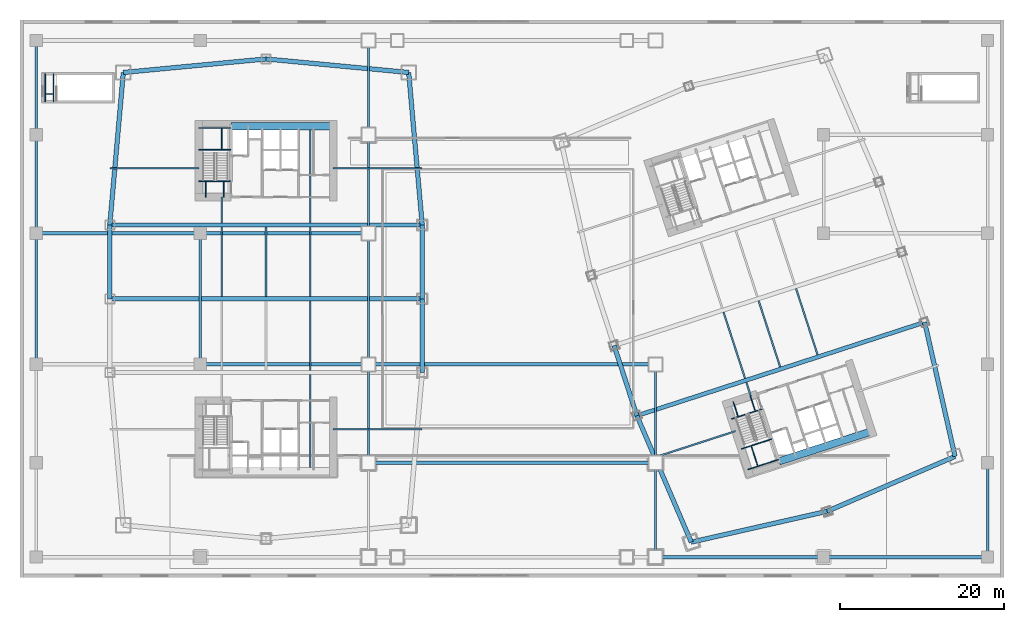
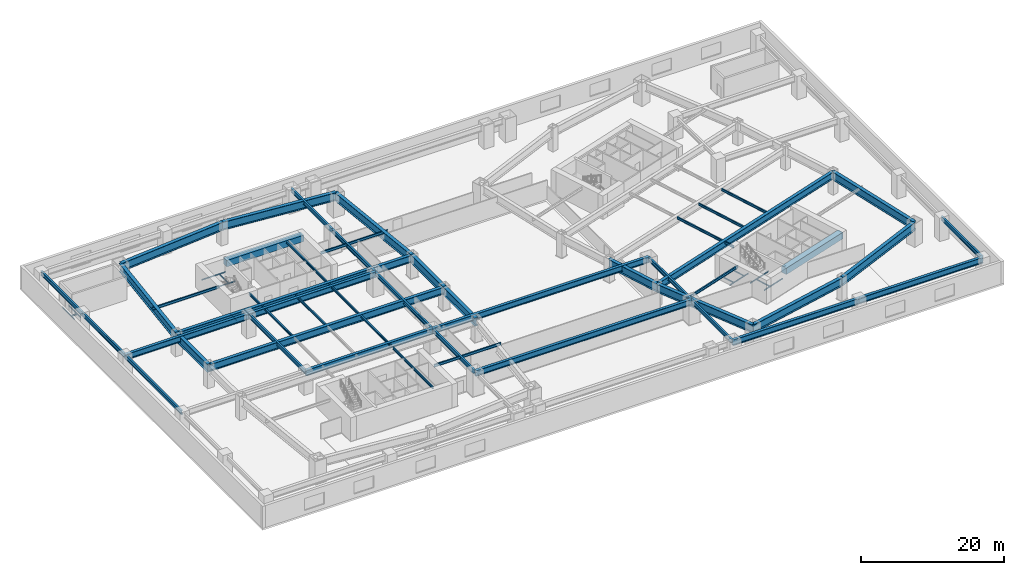
# One storey, part 7 of 25: 65 beams.
"""IFC4 building model written with IfcOpenShell, lengths in metres."""

from ifc_helpers import new_model, si_unit, direction, frame, origin, origin_2d, place, context, subcontext, project, spatial, rectangle, i_section, extrude, material, material_profile, profile_set, type_object, element, save


model = new_model("IFC4")

# Units and contexts
model_context = context("Model", 3, precision=1e-05, world=origin(), true_north=direction((0.0, 1.0)))
body_context = subcontext(model_context, "Body", "Model", "MODEL_VIEW")
ifc_project = project(units=[si_unit("LENGTHUNIT", "METRE"), si_unit("AREAUNIT", "SQUARE_METRE"), si_unit("VOLUMEUNIT", "CUBIC_METRE"), si_unit("PLANEANGLEUNIT", "RADIAN"), si_unit("MASSUNIT", "GRAM", prefix="KILO")], contexts=[model_context])

# Site, building, storey
site_placement = place(None, origin())
site = spatial("IfcSite", under=ifc_project, at=site_placement, CompositionType="ELEMENT")
building_placement = place(site_placement, origin())
building = spatial("IfcBuilding", under=site, at=building_placement, Name="Qiaolan Cultural Towers", CompositionType="ELEMENT")
storey_placement = place(building_placement, frame((0.0, 0.0, 22.0)))
storey = spatial("IfcBuildingStorey", under=building, at=storey_placement, Name="L04", CompositionType="ELEMENT", Elevation=22.0)

# Beams
ifc_material_1 = material(Name="Steel Q390GJB", Category="steel")
ifc_material_profile_1 = material_profile(ifc_material_1, i_section(OverallWidth=0.449951171875, OverallDepth=1.0, WebThickness=0.02392578125, FlangeThickness=0.0400390625, at=origin_2d()), Name="BH1000x450x24x40")
ifc_profile_set_1 = profile_set([ifc_material_profile_1], Name="Steel Q390GJB")
beam_type_1 = type_object("IfcBeamType", Name="BM-BH1000x450x24x40", PredefinedType="BEAM", material=ifc_profile_set_1)
beam_1_placement = place(storey_placement, frame((77.5, 2.5, 3.25), z_axis=(1.0, 0.0, 0.0), x_axis=(0.0, 1.0, 0.0)))
element("IfcBeam", 1, at=beam_1_placement, inside=storey, type_object=beam_type_1, Name="L04 Podium Primary Girder Y=2.5", PredefinedType="BEAM", context=body_context, shape_type="SweptSolid", body=[
    extrude(i_section(OverallWidth=0.449951171875, OverallDepth=1.0, WebThickness=0.02392578125, FlangeThickness=0.0400390625, at=origin_2d()), origin(), (0.0, 0.0, 1.0), 20.5),
])
beam_2_placement = place(storey_placement, frame((98.0, 2.5, 3.25), z_axis=(1.0, 0.0, 0.0), x_axis=(0.0, 1.0, 0.0)))
element("IfcBeam", 2, at=beam_2_placement, inside=storey, type_object=beam_type_1, Name="L04 Podium Primary Girder Y=2.5", PredefinedType="BEAM", context=body_context, shape_type="SweptSolid", body=[
    extrude(i_section(OverallWidth=0.449951171875, OverallDepth=1.0, WebThickness=0.02392578125, FlangeThickness=0.0400390625, at=origin_2d()), origin(), (0.0, 0.0, 1.0), 20.0),
])
beam_3_placement = place(storey_placement, frame((42.5, 14.0, 3.25), z_axis=(1.0, 0.0, 0.0), x_axis=(0.0, 1.0, 0.0)))
element("IfcBeam", 3, at=beam_3_placement, inside=storey, type_object=beam_type_1, Name="L04 Podium Primary Girder Y=14.0", PredefinedType="BEAM", context=body_context, shape_type="SweptSolid", body=[
    extrude(i_section(OverallWidth=0.449951171875, OverallDepth=1.0, WebThickness=0.02392578125, FlangeThickness=0.0400390625, at=origin_2d()), origin(), (0.0, 0.0, 1.0), 35.0),
])
beam_4_placement = place(storey_placement, frame((22.0, 26.0, 3.25), z_axis=(1.0, 0.0, 0.0), x_axis=(0.0, 1.0, 0.0)))
element("IfcBeam", 4, at=beam_4_placement, inside=storey, type_object=beam_type_1, Name="L04 Podium Primary Girder Y=26.0", PredefinedType="BEAM", context=body_context, shape_type="SweptSolid", body=[
    extrude(i_section(OverallWidth=0.449951171875, OverallDepth=1.0, WebThickness=0.02392578125, FlangeThickness=0.0400390625, at=origin_2d()), origin(), (0.0, 0.0, 1.0), 20.5),
])
beam_5_placement = place(storey_placement, frame((42.5, 26.0, 3.25), z_axis=(1.0, 0.0, 0.0), x_axis=(0.0, 1.0, 0.0)))
element("IfcBeam", 5, at=beam_5_placement, inside=storey, type_object=beam_type_1, Name="L04 Podium Primary Girder Y=26.0", PredefinedType="BEAM", context=body_context, shape_type="SweptSolid", body=[
    extrude(i_section(OverallWidth=0.449951171875, OverallDepth=1.0, WebThickness=0.02392578125, FlangeThickness=0.0400390625, at=origin_2d()), origin(), (0.0, 0.0, 1.0), 35.0),
])
beam_6_placement = place(storey_placement, frame((2.0, 42.0, 3.25), z_axis=(1.0, 0.0, 0.0), x_axis=(0.0, 1.0, 0.0)))
element("IfcBeam", 6, at=beam_6_placement, inside=storey, type_object=beam_type_1, Name="L04 Podium Primary Girder Y=42.0", PredefinedType="BEAM", context=body_context, shape_type="SweptSolid", body=[
    extrude(i_section(OverallWidth=0.449951171875, OverallDepth=1.0, WebThickness=0.02392578125, FlangeThickness=0.0400390625, at=origin_2d()), origin(), (0.0, 0.0, 1.0), 20.0),
])
beam_7_placement = place(storey_placement, frame((22.0, 42.0, 3.25), z_axis=(1.0, 0.0, 0.0), x_axis=(0.0, 1.0, 0.0)))
element("IfcBeam", 7, at=beam_7_placement, inside=storey, type_object=beam_type_1, Name="L04 Podium Primary Girder Y=42.0", PredefinedType="BEAM", context=body_context, shape_type="SweptSolid", body=[
    extrude(i_section(OverallWidth=0.449951171875, OverallDepth=1.0, WebThickness=0.02392578125, FlangeThickness=0.0400390625, at=origin_2d()), origin(), (0.0, 0.0, 1.0), 20.5),
])
ifc_material_2 = material(Name="Steel Q390GJB", Category="steel")
ifc_material_profile_2 = material_profile(ifc_material_2, i_section(OverallWidth=0.5, OverallDepth=1.199951171875, WebThickness=0.028076171875, FlangeThickness=0.044921875, at=origin_2d()), Name="BH1200x500x28x45")
ifc_profile_set_2 = profile_set([ifc_material_profile_2], Name="Steel Q390GJB")
beam_type_2 = type_object("IfcBeamType", Name="BM-BH1200x500x28x45", PredefinedType="BEAM", material=ifc_profile_set_2)
for number, where, z_axis, x_axis, name in (
    (8, (10.949951171875, 34.0, 3.139892578125), (1.0, 0.0, 0.0), (0.0, 1.0, 0.0), "L04 T1 Primary Transverse Girder V2"),
    (9, (10.949951171875, 43.0, 3.139892578125), (1.0, 0.0, 0.0), (0.0, 1.0, 0.0), "L04 T1 Primary Transverse Girder V3"),
):
    element("IfcBeam", number, at=place(storey_placement, frame(where, z_axis=z_axis, x_axis=x_axis)), inside=storey, type_object=beam_type_2, Name=name, PredefinedType="BEAM", context=body_context, shape_type="SweptSolid", body=[
        extrude(i_section(OverallWidth=0.5, OverallDepth=1.199951171875, WebThickness=0.028076171875, FlangeThickness=0.044921875, at=origin_2d()), origin(), (0.0, 0.0, 1.0), 38.10009765625),
    ])
beam_8_placement = place(storey_placement, frame((75.234130859375, 19.739013671875, 3.139892578125), z_axis=(0.951055702987, 0.309019497469, 0.0), x_axis=(-0.309019497469, 0.951055702987, 0.0)))
element("IfcBeam", 10, at=beam_8_placement, inside=storey, type_object=beam_type_2, Name="L04 T2 Primary Transverse Girder V1", PredefinedType="BEAM", context=body_context, shape_type="SweptSolid", body=[
    extrude(i_section(OverallWidth=0.5, OverallDepth=1.199951171875, WebThickness=0.028076171875, FlangeThickness=0.044921875, at=origin_2d()), origin(), (0.0, 0.0, 1.0), 36.900146484375),
])
ifc_material_3 = material(Name="Steel Q420GJB", Category="steel")
ifc_material_profile_3 = material_profile(ifc_material_3, i_section(OverallWidth=0.550048828125, OverallDepth=1.39990234375, WebThickness=0.031982421875, FlangeThickness=0.050048828125, at=origin_2d()), Name="BH1400x550x32x50")
ifc_profile_set_3 = profile_set([ifc_material_profile_3], Name="Steel Q420GJB")
beam_type_3 = type_object("IfcBeamType", Name="BM-BH1400x550x32x50", PredefinedType="BEAM", material=ifc_profile_set_3)
for number, where, z_axis, x_axis, name in (
    (11, (49.050048828125, 25.0, 3.0400390625), (0.0, 1.0, 0.0), (-1.0, 0.0, 0.0), "L04 T1 Perimeter Spandrel Beam 4"),
    (12, (49.050048828125, 34.0, 3.0400390625), (0.0, 1.0, 0.0), (-1.0, 0.0, 0.0), "L04 T1 Perimeter Spandrel Beam 5"),
):
    element("IfcBeam", number, at=place(storey_placement, frame(where, z_axis=z_axis, x_axis=x_axis)), inside=storey, type_object=beam_type_3, Name=name, PredefinedType="BEAM", context=body_context, shape_type="SweptSolid", body=[
        extrude(i_section(OverallWidth=0.550048828125, OverallDepth=1.39990234375, WebThickness=0.031982421875, FlangeThickness=0.050048828125, at=origin_2d()), origin(), (0.0, 0.0, 1.0), 9.0),
    ])
beam_9_placement = place(storey_placement, frame((49.050048828125, 43.0, 3.0400390625), z_axis=(-0.08837000091, 0.996087718496, 0.0), x_axis=(-0.996087718496, -0.08837000091, 0.0)))
element("IfcBeam", 13, at=beam_9_placement, inside=storey, type_object=beam_type_3, Name="L04 T1 Perimeter Spandrel Beam 6", PredefinedType="BEAM", context=body_context, shape_type="SweptSolid", body=[
    extrude(i_section(OverallWidth=0.550048828125, OverallDepth=1.39990234375, WebThickness=0.031982421875, FlangeThickness=0.050048828125, at=origin_2d()), origin(), (0.0, 0.0, 1.0), 18.673095703125),
])
for number, where, z_axis, x_axis, name in (
    (14, (47.39990234375, 61.60009765625, 3.0400390625), (-0.995534437156, 0.094399070104, 0.0), (-0.094399070104, -0.995534437156, 0.0), "L04 T1 Perimeter Spandrel Beam 7"),
    (15, (30.0, 63.25, 3.0400390625), (-0.995534437156, -0.094399070104, 0.0), (0.094399070104, -0.995534437156, 0.0), "L04 T1 Perimeter Spandrel Beam 8"),
):
    element("IfcBeam", number, at=place(storey_placement, frame(where, z_axis=z_axis, x_axis=x_axis)), inside=storey, type_object=beam_type_3, Name=name, PredefinedType="BEAM", context=body_context, shape_type="SweptSolid", body=[
        extrude(i_section(OverallWidth=0.550048828125, OverallDepth=1.39990234375, WebThickness=0.031982421875, FlangeThickness=0.050048828125, at=origin_2d()), origin(), (0.0, 0.0, 1.0), 17.47802734375),
    ])
beam_10_placement = place(storey_placement, frame((12.60009765625, 61.60009765625, 3.0400390625), z_axis=(-0.08837000091, -0.996087718496, 0.0), x_axis=(0.996087718496, -0.08837000091, 0.0)))
element("IfcBeam", 16, at=beam_10_placement, inside=storey, type_object=beam_type_3, Name="L04 T1 Perimeter Spandrel Beam 9", PredefinedType="BEAM", context=body_context, shape_type="SweptSolid", body=[
    extrude(i_section(OverallWidth=0.550048828125, OverallDepth=1.39990234375, WebThickness=0.031982421875, FlangeThickness=0.050048828125, at=origin_2d()), origin(), (0.0, 0.0, 1.0), 18.673095703125),
])
beam_11_placement = place(storey_placement, frame((10.949951171875, 43.0, 3.0400390625), z_axis=(0.0, -1.0, 0.0), x_axis=(1.0, 0.0, 0.0)))
element("IfcBeam", 17, at=beam_11_placement, inside=storey, type_object=beam_type_3, Name="L04 T1 Perimeter Spandrel Beam 10", PredefinedType="BEAM", context=body_context, shape_type="SweptSolid", body=[
    extrude(i_section(OverallWidth=0.550048828125, OverallDepth=1.39990234375, WebThickness=0.031982421875, FlangeThickness=0.050048828125, at=origin_2d()), origin(), (0.0, 0.0, 1.0), 9.0),
])
for number, where, z_axis, x_axis, name in (
    (18, (81.862548828125, 4.32275390625, 3.0400390625), (0.975161095889, 0.221496810506, 0.0), (-0.221496810506, 0.975161095889, 0.0), "L04 T2 Perimeter Spandrel Beam 1"),
    (19, (98.420654296875, 8.083740234375, 3.0400390625), (0.919108584923, 0.394004326272, 0.0), (-0.394004326272, 0.919108584923, 0.0), "L04 T2 Perimeter Spandrel Beam 2"),
):
    element("IfcBeam", number, at=place(storey_placement, frame(where, z_axis=z_axis, x_axis=x_axis)), inside=storey, type_object=beam_type_3, Name=name, PredefinedType="BEAM", context=body_context, shape_type="SweptSolid", body=[
        extrude(i_section(OverallWidth=0.550048828125, OverallDepth=1.39990234375, WebThickness=0.031982421875, FlangeThickness=0.050048828125, at=origin_2d()), origin(), (0.0, 0.0, 1.0), 16.97998046875),
    ])
beam_12_placement = place(storey_placement, frame((114.027099609375, 14.77392578125, 3.0400390625), z_axis=(-0.220430557386, 0.975402670373, 0.0), x_axis=(-0.975402670373, -0.220430557386, 0.0)))
element("IfcBeam", 20, at=beam_12_placement, inside=storey, type_object=beam_type_3, Name="L04 T2 Perimeter Spandrel Beam 3", PredefinedType="BEAM", context=body_context, shape_type="SweptSolid", body=[
    extrude(i_section(OverallWidth=0.550048828125, OverallDepth=1.39990234375, WebThickness=0.031982421875, FlangeThickness=0.050048828125, at=origin_2d()), origin(), (0.0, 0.0, 1.0), 16.78076171875),
])
beam_13_placement = place(storey_placement, frame((72.453125, 28.298583984375, 3.0400390625), z_axis=(0.309000197986, -0.951061973609, 0.0), x_axis=(0.951061973609, 0.309000197986, 0.0)))
element("IfcBeam", 21, at=beam_13_placement, inside=storey, type_object=beam_type_3, Name="L04 T2 Perimeter Spandrel Beam 11", PredefinedType="BEAM", context=body_context, shape_type="SweptSolid", body=[
    extrude(i_section(OverallWidth=0.550048828125, OverallDepth=1.39990234375, WebThickness=0.031982421875, FlangeThickness=0.050048828125, at=origin_2d()), origin(), (0.0, 0.0, 1.0), 9.0),
])
beam_14_placement = place(storey_placement, frame((75.234130859375, 19.739013671875, 3.0400390625), z_axis=(0.394998896054, -0.918681594524, 0.0), x_axis=(0.918681594524, 0.394998896054, 0.0)))
element("IfcBeam", 22, at=beam_14_placement, inside=storey, type_object=beam_type_3, Name="L04 T2 Perimeter Spandrel Beam 12", PredefinedType="BEAM", context=body_context, shape_type="SweptSolid", body=[
    extrude(i_section(OverallWidth=0.550048828125, OverallDepth=1.39990234375, WebThickness=0.031982421875, FlangeThickness=0.050048828125, at=origin_2d()), origin(), (0.0, 0.0, 1.0), 16.78076171875),
])
ifc_material_4 = material(Name="Steel Q355B", Category="steel")
ifc_material_profile_4 = material_profile(ifc_material_4, i_section(OverallWidth=0.300048828125, OverallDepth=0.699951171875, WebThickness=0.012939453125, FlangeThickness=0.02392578125, at=origin_2d()), Name="HN700x300x13x24")
ifc_profile_set_4 = profile_set([ifc_material_profile_4], Name="Steel Q355B")
beam_type_4 = type_object("IfcBeamType", Name="BM-HN700x300x13x24", PredefinedType="BEAM", material=ifc_profile_set_4)
beam_15_placement = place(storey_placement, frame((2.0, 26.0, 3.39990234375), z_axis=(0.0, 1.0, 0.0), x_axis=(-1.0, 0.0, 0.0)))
element("IfcBeam", 23, at=beam_15_placement, inside=storey, type_object=beam_type_4, Name="L04 Podium Transverse Beam X=2.0", PredefinedType="BEAM", context=body_context, shape_type="SweptSolid", body=[
    extrude(i_section(OverallWidth=0.300048828125, OverallDepth=0.699951171875, WebThickness=0.012939453125, FlangeThickness=0.02392578125, at=origin_2d()), origin(), (0.0, 0.0, 1.0), 16.0),
])
beam_16_placement = place(storey_placement, frame((2.0, 42.0, 3.39990234375), z_axis=(0.0, 1.0, 0.0), x_axis=(-1.0, 0.0, 0.0)))
element("IfcBeam", 24, at=beam_16_placement, inside=storey, type_object=beam_type_4, Name="L04 Podium Transverse Beam X=2.0", PredefinedType="BEAM", context=body_context, shape_type="SweptSolid", body=[
    extrude(i_section(OverallWidth=0.300048828125, OverallDepth=0.699951171875, WebThickness=0.012939453125, FlangeThickness=0.02392578125, at=origin_2d()), origin(), (0.0, 0.0, 1.0), 12.0),
])
beam_17_placement = place(storey_placement, frame((2.0, 54.0, 3.39990234375), z_axis=(0.0, 1.0, 0.0), x_axis=(-1.0, 0.0, 0.0)))
element("IfcBeam", 25, at=beam_17_placement, inside=storey, type_object=beam_type_4, Name="L04 Podium Transverse Beam X=2.0", PredefinedType="BEAM", context=body_context, shape_type="SweptSolid", body=[
    extrude(i_section(OverallWidth=0.300048828125, OverallDepth=0.699951171875, WebThickness=0.012939453125, FlangeThickness=0.02392578125, at=origin_2d()), origin(), (0.0, 0.0, 1.0), 11.5),
])
beam_18_placement = place(storey_placement, frame((22.0, 26.0, 3.39990234375), z_axis=(0.0, 1.0, 0.0), x_axis=(-1.0, 0.0, 0.0)))
element("IfcBeam", 26, at=beam_18_placement, inside=storey, type_object=beam_type_4, Name="L04 Podium Transverse Beam X=22.0", PredefinedType="BEAM", context=body_context, shape_type="SweptSolid", body=[
    extrude(i_section(OverallWidth=0.300048828125, OverallDepth=0.699951171875, WebThickness=0.012939453125, FlangeThickness=0.02392578125, at=origin_2d()), origin(), (0.0, 0.0, 1.0), 16.0),
])
beam_19_placement = place(storey_placement, frame((42.5, 14.0, 3.39990234375), z_axis=(0.0, 1.0, 0.0), x_axis=(-1.0, 0.0, 0.0)))
element("IfcBeam", 27, at=beam_19_placement, inside=storey, type_object=beam_type_4, Name="L04 Podium Transverse Beam X=42.5", PredefinedType="BEAM", context=body_context, shape_type="SweptSolid", body=[
    extrude(i_section(OverallWidth=0.300048828125, OverallDepth=0.699951171875, WebThickness=0.012939453125, FlangeThickness=0.02392578125, at=origin_2d()), origin(), (0.0, 0.0, 1.0), 12.0),
])
beam_20_placement = place(storey_placement, frame((42.5, 26.0, 3.39990234375), z_axis=(0.0, 1.0, 0.0), x_axis=(-1.0, 0.0, 0.0)))
element("IfcBeam", 28, at=beam_20_placement, inside=storey, type_object=beam_type_4, Name="L04 Podium Transverse Beam X=42.5", PredefinedType="BEAM", context=body_context, shape_type="SweptSolid", body=[
    extrude(i_section(OverallWidth=0.300048828125, OverallDepth=0.699951171875, WebThickness=0.012939453125, FlangeThickness=0.02392578125, at=origin_2d()), origin(), (0.0, 0.0, 1.0), 16.0),
])
beam_21_placement = place(storey_placement, frame((42.5, 42.0, 3.39990234375), z_axis=(0.0, 1.0, 0.0), x_axis=(-1.0, 0.0, 0.0)))
element("IfcBeam", 29, at=beam_21_placement, inside=storey, type_object=beam_type_4, Name="L04 Podium Transverse Beam X=42.5", PredefinedType="BEAM", context=body_context, shape_type="SweptSolid", body=[
    extrude(i_section(OverallWidth=0.300048828125, OverallDepth=0.699951171875, WebThickness=0.012939453125, FlangeThickness=0.02392578125, at=origin_2d()), origin(), (0.0, 0.0, 1.0), 12.0),
])
for number, where, z_axis, x_axis, name in (
    (30, (42.5, 54.0, 3.39990234375), (0.0, 1.0, 0.0), (-1.0, 0.0, 0.0), "L04 Podium Transverse Beam X=42.5"),
    (31, (77.5, 2.5, 3.39990234375), (0.0, 1.0, 0.0), (-1.0, 0.0, 0.0), "L04 Podium Transverse Beam X=77.5"),
):
    element("IfcBeam", number, at=place(storey_placement, frame(where, z_axis=z_axis, x_axis=x_axis)), inside=storey, type_object=beam_type_4, Name=name, PredefinedType="BEAM", context=body_context, shape_type="SweptSolid", body=[
        extrude(i_section(OverallWidth=0.300048828125, OverallDepth=0.699951171875, WebThickness=0.012939453125, FlangeThickness=0.02392578125, at=origin_2d()), origin(), (0.0, 0.0, 1.0), 11.5),
    ])
beam_22_placement = place(storey_placement, frame((77.5, 14.0, 3.39990234375), z_axis=(0.0, 1.0, 0.0), x_axis=(-1.0, 0.0, 0.0)))
element("IfcBeam", 32, at=beam_22_placement, inside=storey, type_object=beam_type_4, Name="L04 Podium Transverse Beam X=77.5", PredefinedType="BEAM", context=body_context, shape_type="SweptSolid", body=[
    extrude(i_section(OverallWidth=0.300048828125, OverallDepth=0.699951171875, WebThickness=0.012939453125, FlangeThickness=0.02392578125, at=origin_2d()), origin(), (0.0, 0.0, 1.0), 12.0),
])
beam_23_placement = place(storey_placement, frame((118.0, 2.5, 3.39990234375), z_axis=(0.0, 1.0, 0.0), x_axis=(-1.0, 0.0, 0.0)))
element("IfcBeam", 33, at=beam_23_placement, inside=storey, type_object=beam_type_4, Name="L04 Podium Transverse Beam X=118.0", PredefinedType="BEAM", context=body_context, shape_type="SweptSolid", body=[
    extrude(i_section(OverallWidth=0.300048828125, OverallDepth=0.699951171875, WebThickness=0.012939453125, FlangeThickness=0.02392578125, at=origin_2d()), origin(), (0.0, 0.0, 1.0), 11.5),
])
ifc_material_5 = material(Name="Steel Q355B", Category="steel")
ifc_material_profile_5 = material_profile(ifc_material_5, i_section(OverallWidth=0.199951171875, OverallDepth=0.39990234375, WebThickness=0.008056640625, FlangeThickness=0.012939453125, at=origin_2d()), Name="HN400x200x8x13")
ifc_profile_set_5 = profile_set([ifc_material_profile_5], Name="Steel Q355B")
beam_type_5 = type_object("IfcBeamType", Name="BM-JST-HN400x200x8x13", PredefinedType="JOIST", material=ifc_profile_set_5)
beam_24_placement = place(storey_placement, frame((24.60009765625, 34.25, 3.5400390625), z_axis=(0.0, 1.0, 0.0), x_axis=(-1.0, 0.0, 0.0)))
element("IfcBeam", 34, at=beam_24_placement, inside=storey, type_object=beam_type_5, Name="L04 T1 Secondary Floor Joist U1-3", PredefinedType="JOIST", context=body_context, shape_type="SweptSolid", body=[
    extrude(i_section(OverallWidth=0.199951171875, OverallDepth=0.39990234375, WebThickness=0.008056640625, FlangeThickness=0.012939453125, at=origin_2d()), origin(), (0.0, 0.0, 1.0), 8.5),
])
beam_25_placement = place(storey_placement, frame((24.60009765625, 43.25, 3.5400390625), z_axis=(0.0, 1.0, 0.0), x_axis=(-1.0, 0.0, 0.0)))
element("IfcBeam", 35, at=beam_25_placement, inside=storey, type_object=beam_type_5, Name="L04 T1 Secondary Floor Joist U1-4", PredefinedType="JOIST", context=body_context, shape_type="SweptSolid", body=[
    extrude(i_section(OverallWidth=0.199951171875, OverallDepth=0.39990234375, WebThickness=0.008056640625, FlangeThickness=0.012939453125, at=origin_2d()), origin(), (0.0, 0.0, 1.0), 3.14990234375),
])
beam_26_placement = place(storey_placement, frame((30.0, 34.25, 3.5400390625), z_axis=(0.0, 1.0, 0.0), x_axis=(-1.0, 0.0, 0.0)))
element("IfcBeam", 36, at=beam_26_placement, inside=storey, type_object=beam_type_5, Name="L04 T1 Secondary Floor Joist U2-3", PredefinedType="JOIST", context=body_context, shape_type="SweptSolid", body=[
    extrude(i_section(OverallWidth=0.199951171875, OverallDepth=0.39990234375, WebThickness=0.008056640625, FlangeThickness=0.012939453125, at=origin_2d()), origin(), (0.0, 0.0, 1.0), 8.5),
])
beam_27_placement = place(storey_placement, frame((35.39990234375, 13.39990234375, 3.5400390625), z_axis=(0.0, 1.0, 0.0), x_axis=(-1.0, 0.0, 0.0)))
element("IfcBeam", 37, at=beam_27_placement, inside=storey, type_object=beam_type_5, Name="L04 T1 Secondary Floor Joist U3-1", PredefinedType="JOIST", context=body_context, shape_type="SweptSolid", body=[
    extrude(i_section(OverallWidth=0.199951171875, OverallDepth=0.39990234375, WebThickness=0.008056640625, FlangeThickness=0.012939453125, at=origin_2d()), origin(), (0.0, 0.0, 1.0), 11.35009765625),
])
for number, where, z_axis, x_axis, name in (
    (38, (35.39990234375, 25.25, 3.5400390625), (0.0, 1.0, 0.0), (-1.0, 0.0, 0.0), "L04 T1 Secondary Floor Joist U3-2"),
    (39, (35.39990234375, 34.25, 3.5400390625), (0.0, 1.0, 0.0), (-1.0, 0.0, 0.0), "L04 T1 Secondary Floor Joist U3-3"),
):
    element("IfcBeam", number, at=place(storey_placement, frame(where, z_axis=z_axis, x_axis=x_axis)), inside=storey, type_object=beam_type_5, Name=name, PredefinedType="JOIST", context=body_context, shape_type="SweptSolid", body=[
        extrude(i_section(OverallWidth=0.199951171875, OverallDepth=0.39990234375, WebThickness=0.008056640625, FlangeThickness=0.012939453125, at=origin_2d()), origin(), (0.0, 0.0, 1.0), 8.5),
    ])
beam_28_placement = place(storey_placement, frame((35.39990234375, 43.25, 3.5400390625), z_axis=(0.0, 1.0, 0.0), x_axis=(-1.0, 0.0, 0.0)))
element("IfcBeam", 40, at=beam_28_placement, inside=storey, type_object=beam_type_5, Name="L04 T1 Secondary Floor Joist U3-4", PredefinedType="JOIST", context=body_context, shape_type="SweptSolid", body=[
    extrude(i_section(OverallWidth=0.199951171875, OverallDepth=0.39990234375, WebThickness=0.008056640625, FlangeThickness=0.012939453125, at=origin_2d()), origin(), (0.0, 0.0, 1.0), 11.35009765625),
])
beam_29_placement = place(storey_placement, frame((89.119384765625, 22.147705078125, 3.5400390625), z_axis=(-0.308978828086, 0.951068916428, 0.0), x_axis=(-0.951068916428, -0.308978828086, 0.0)))
element("IfcBeam", 41, at=beam_29_placement, inside=storey, type_object=beam_type_5, Name="L04 T2 Secondary Floor Joist U1-1", PredefinedType="JOIST", context=body_context, shape_type="SweptSolid", body=[
    extrude(i_section(OverallWidth=0.199951171875, OverallDepth=0.39990234375, WebThickness=0.008056640625, FlangeThickness=0.012939453125, at=origin_2d()), origin(), (0.0, 0.0, 1.0), 1.750244140625),
])
for number, where, z_axis, x_axis, name in (
    (42, (88.424072265625, 24.28759765625, 3.5400390625), (-0.308997743729, 0.951062770994, 0.0), (-0.951062770994, -0.308997743729, 0.0), "L04 T2 Secondary Floor Joist U1-2"),
    (43, (92.703857421875, 25.67822265625, 3.5400390625), (-0.309023723562, 0.951054329824, 0.0), (-0.951054329824, -0.309023723562, 0.0), "L04 T2 Secondary Floor Joist U2-2"),
    (44, (97.26904296875, 27.16162109375, 3.5400390625), (-0.309023723562, 0.951054329824, 0.0), (-0.951054329824, -0.309023723562, 0.0), "L04 T2 Secondary Floor Joist U3-2"),
):
    element("IfcBeam", number, at=place(storey_placement, frame(where, z_axis=z_axis, x_axis=x_axis)), inside=storey, type_object=beam_type_5, Name=name, PredefinedType="JOIST", context=body_context, shape_type="SweptSolid", body=[
        extrude(i_section(OverallWidth=0.199951171875, OverallDepth=0.39990234375, WebThickness=0.008056640625, FlangeThickness=0.012939453125, at=origin_2d()), origin(), (0.0, 0.0, 1.0), 8.5),
    ])
ifc_material_6 = material(Name="Steel Q355B", Category="steel")
ifc_material_profile_6 = material_profile(ifc_material_6, i_section(OverallWidth=0.199951171875, OverallDepth=0.449951171875, WebThickness=0.009033203125, FlangeThickness=0.013916015625, at=origin_2d()), Name="HN450x200x9x14")
ifc_profile_set_6 = profile_set([ifc_material_profile_6], Name="Steel Q355B")
beam_type_6 = type_object("IfcBeamType", Name="BM-LNT-HN450x200x9x14", PredefinedType="LINTEL", material=ifc_profile_set_6)
for number, where, z_axis, x_axis, name in (
    (45, (21.800048828125, 49.89990234375, 3.514892578125), (-1.0, 0.0, 0.0), (0.0, -1.0, 0.0), "L04 T1 Core Flank Tie Lintel WN"),
    (46, (38.199951171875, 18.10009765625, 3.514892578125), (1.0, 0.0, 0.0), (0.0, 1.0, 0.0), "L04 T1 Core Flank Tie Lintel ES"),
    (47, (38.199951171875, 49.89990234375, 3.514892578125), (1.0, 0.0, 0.0), (0.0, 1.0, 0.0), "L04 T1 Core Flank Tie Lintel EN"),
):
    element("IfcBeam", number, at=place(storey_placement, frame(where, z_axis=z_axis, x_axis=x_axis)), inside=storey, type_object=beam_type_6, Name=name, PredefinedType="LINTEL", context=body_context, shape_type="SweptSolid", body=[
        extrude(i_section(OverallWidth=0.199951171875, OverallDepth=0.449951171875, WebThickness=0.009033203125, FlangeThickness=0.013916015625, at=origin_2d()), origin(), (0.0, 0.0, 1.0), 10.85009765625),
    ])
beam_30_placement = place(storey_placement, frame((87.252685546875, 17.861083984375, 3.514892578125), z_axis=(-0.95105688584, -0.30901585703, 0.0), x_axis=(0.30901585703, -0.95105688584, 0.0)))
element("IfcBeam", 48, at=beam_30_placement, inside=storey, type_object=beam_type_6, Name="L04 T2 Core Flank Tie Lintel WS", PredefinedType="LINTEL", context=body_context, shape_type="SweptSolid", body=[
    extrude(i_section(OverallWidth=0.199951171875, OverallDepth=0.449951171875, WebThickness=0.009033203125, FlangeThickness=0.013916015625, at=origin_2d()), origin(), (0.0, 0.0, 1.0), 10.849853515625),
])
ifc_material_7 = material(Name="Concrete C50", Category="concrete")
ifc_material_profile_7 = material_profile(ifc_material_7, rectangle(XDim=0.89990234375, YDim=1.10009765625, at=origin_2d()), Name="RC900x1100")
ifc_profile_set_7 = profile_set([ifc_material_profile_7], Name="Concrete C50")
beam_type_7 = type_object("IfcBeamType", Name="BM-RC900x1100", PredefinedType="BEAM", material=ifc_profile_set_7)
beam_31_placement = place(storey_placement, frame((25.719970703125, 55.050048828125, 3.18994140625), z_axis=(1.0, 0.0, 0.0), x_axis=(0.0, 1.0, 0.0)))
element("IfcBeam", 49, at=beam_31_placement, inside=storey, type_object=beam_type_7, Name="L04 T1 Core Header Girder N", PredefinedType="BEAM", context=body_context, shape_type="SweptSolid", body=[
    extrude(rectangle(XDim=0.89990234375, YDim=1.10009765625, at=origin_2d()), origin(), (0.0, 0.0, 1.0), 12.47998046875),
])
beam_32_placement = place(storey_placement, frame((92.572265625, 14.174560546875, 3.18994140625), z_axis=(0.951056266386, 0.309017763514, 0.0), x_axis=(-0.309017763514, 0.951056266386, 0.0)))
element("IfcBeam", 50, at=beam_32_placement, inside=storey, type_object=beam_type_7, Name="L04 T2 Core Header Girder S", PredefinedType="BEAM", context=body_context, shape_type="SweptSolid", body=[
    extrude(rectangle(XDim=0.89990234375, YDim=1.10009765625, at=origin_2d()), origin(), (0.0, 0.0, 1.0), 11.880126953125),
])
ifc_material_8 = material(Name="Steel Q355B", Category="steel")
ifc_material_profile_8 = material_profile(ifc_material_8, i_section(OverallWidth=0.10009765625, OverallDepth=0.199951171875, WebThickness=0.005615234375, FlangeThickness=0.008056640625, at=origin_2d()), Name="HN200x100x5.5x8")
ifc_profile_set_8 = profile_set([ifc_material_profile_8], Name="Steel Q355B")
beam_type_8 = type_object("IfcBeamType", Name="BM-STTRIM-200", PredefinedType="BEAM", material=ifc_profile_set_8)
beam_33_placement = place(storey_placement, frame((21.800048828125, 48.340087890625, -0.4599609375), z_axis=(1.0, 0.0, 0.0), x_axis=(0.0, 1.0, 0.0)))
element("IfcBeam", 51, at=beam_33_placement, inside=storey, type_object=beam_type_8, Name="L04 ST-W2 Floor Landing Header Beam", PredefinedType="BEAM", context=body_context, shape_type="SweptSolid", body=[
    extrude(i_section(OverallWidth=0.10009765625, OverallDepth=0.199951171875, WebThickness=0.005615234375, FlangeThickness=0.008056640625, at=origin_2d()), origin(), (0.0, 0.0, 1.0), 3.919921875),
])
for number, where, z_axis, x_axis, name in (
    (52, (22.64990234375, 46.39990234375, -0.4599609375), (0.0, 1.0, 0.0), (-1.0, 0.0, 0.0), "L04 ST-W2 Floor Landing Stringer 1"),
    (53, (24.85009765625, 46.39990234375, -0.4599609375), (0.0, 1.0, 0.0), (-1.0, 0.0, 0.0), "L04 ST-W2 Floor Landing Stringer 2"),
):
    element("IfcBeam", number, at=place(storey_placement, frame(where, z_axis=z_axis, x_axis=x_axis)), inside=storey, type_object=beam_type_8, Name=name, PredefinedType="BEAM", context=body_context, shape_type="SweptSolid", body=[
        extrude(i_section(OverallWidth=0.10009765625, OverallDepth=0.199951171875, WebThickness=0.005615234375, FlangeThickness=0.008056640625, at=origin_2d()), origin(), (0.0, 0.0, 1.0), 1.940185546875),
    ])
for number, where, z_axis, x_axis, name in (
    (54, (21.800048828125, 52.188720703125, 1.699951171875), (1.0, 0.0, 0.0), (0.0, 1.0, 0.0), "L04 ST-W2 Stair Landing Support Beam 1-1"),
    (55, (21.800048828125, 54.820068359375, 1.699951171875), (1.0, 0.0, 0.0), (0.0, 1.0, 0.0), "L04 ST-W2 Stair Landing Support Beam 1-2"),
):
    element("IfcBeam", number, at=place(storey_placement, frame(where, z_axis=z_axis, x_axis=x_axis)), inside=storey, type_object=beam_type_8, Name=name, PredefinedType="BEAM", context=body_context, shape_type="SweptSolid", body=[
        extrude(i_section(OverallWidth=0.10009765625, OverallDepth=0.199951171875, WebThickness=0.005615234375, FlangeThickness=0.008056640625, at=origin_2d()), origin(), (0.0, 0.0, 1.0), 3.919921875),
    ])
beam_34_placement = place(storey_placement, frame((24.610107421875, 52.188720703125, 1.699951171875), z_axis=(0.0, 1.0, 0.0), x_axis=(-1.0, 0.0, 0.0)))
element("IfcBeam", 56, at=beam_34_placement, inside=storey, type_object=beam_type_8, Name="L04 ST-W2 Stair Landing Trimmer 1", PredefinedType="BEAM", context=body_context, shape_type="SweptSolid", body=[
    extrude(i_section(OverallWidth=0.10009765625, OverallDepth=0.199951171875, WebThickness=0.005615234375, FlangeThickness=0.008056640625, at=origin_2d()), origin(), (0.0, 0.0, 1.0), 2.63134765625),
])
beam_35_placement = place(storey_placement, frame((86.770751953125, 19.3447265625, -0.4599609375), z_axis=(0.951047798727, 0.309043823005, 0.0), x_axis=(-0.309043823005, 0.951047798727, 0.0)))
element("IfcBeam", 57, at=beam_35_placement, inside=storey, type_object=beam_type_8, Name="L04 ST-E1 Floor Landing Header Beam", PredefinedType="BEAM", context=body_context, shape_type="SweptSolid", body=[
    extrude(i_section(OverallWidth=0.10009765625, OverallDepth=0.199951171875, WebThickness=0.005615234375, FlangeThickness=0.008056640625, at=origin_2d()), origin(), (0.0, 0.0, 1.0), 3.919921875),
])
for number, where, z_axis, x_axis, name in (
    (58, (86.9794921875, 21.452392578125, -0.4599609375), (0.309083226701, -0.951034993558, 0.0), (0.951034993558, 0.309083226701, 0.0), "L04 ST-E1 Floor Landing Stringer 1"),
    (59, (89.07177734375, 22.13232421875, -0.4599609375), (0.309083226701, -0.951034993558, 0.0), (0.951034993558, 0.309083226701, 0.0), "L04 ST-E1 Floor Landing Stringer 2"),
):
    element("IfcBeam", number, at=place(storey_placement, frame(where, z_axis=z_axis, x_axis=x_axis)), inside=storey, type_object=beam_type_8, Name=name, PredefinedType="BEAM", context=body_context, shape_type="SweptSolid", body=[
        extrude(i_section(OverallWidth=0.10009765625, OverallDepth=0.199951171875, WebThickness=0.005615234375, FlangeThickness=0.008056640625, at=origin_2d()), origin(), (0.0, 0.0, 1.0), 1.93994140625),
    ])
for number, where, z_axis, x_axis, name in (
    (60, (87.9599609375, 15.6845703125, 1.699951171875), (0.951066103084, 0.308987487715, 0.0), (-0.308987487715, 0.951066103084, 0.0), "L04 ST-E1 Stair Landing Support Beam 1-1"),
    (61, (88.773193359375, 13.181884765625, 1.699951171875), (0.951047798727, 0.309043823005, 0.0), (-0.309043823005, 0.951047798727, 0.0), "L04 ST-E1 Stair Landing Support Beam 1-2"),
):
    element("IfcBeam", number, at=place(storey_placement, frame(where, z_axis=z_axis, x_axis=x_axis)), inside=storey, type_object=beam_type_8, Name=name, PredefinedType="BEAM", context=body_context, shape_type="SweptSolid", body=[
        extrude(i_section(OverallWidth=0.10009765625, OverallDepth=0.199951171875, WebThickness=0.005615234375, FlangeThickness=0.008056640625, at=origin_2d()), origin(), (0.0, 0.0, 1.0), 3.919921875),
    ])
beam_36_placement = place(storey_placement, frame((89.167724609375, 16.076904296875, 1.699951171875), z_axis=(0.309065092166, -0.951040887031, 0.0), x_axis=(0.951040887031, 0.309065092166, 0.0)))
element("IfcBeam", 62, at=beam_36_placement, inside=storey, type_object=beam_type_8, Name="L04 ST-E1 Stair Landing Trimmer 1", PredefinedType="BEAM", context=body_context, shape_type="SweptSolid", body=[
    extrude(i_section(OverallWidth=0.10009765625, OverallDepth=0.199951171875, WebThickness=0.005615234375, FlangeThickness=0.008056640625, at=origin_2d()), origin(), (0.0, 0.0, 1.0), 2.63134765625),
])
for number, where, z_axis, x_axis, name in (
    (63, (3.080078125, 58.050048828125, -0.4599609375), (0.0, 1.0, 0.0), (-1.0, 0.0, 0.0), "L04 ST-P1 Floor Landing Beam 1"),
    (64, (4.080078125, 58.050048828125, -0.4599609375), (0.0, 1.0, 0.0), (-1.0, 0.0, 0.0), "L04 ST-P1 Floor Landing Beam 2"),
):
    element("IfcBeam", number, at=place(storey_placement, frame(where, z_axis=z_axis, x_axis=x_axis)), inside=storey, type_object=beam_type_8, Name=name, PredefinedType="BEAM", context=body_context, shape_type="SweptSolid", body=[
        extrude(i_section(OverallWidth=0.10009765625, OverallDepth=0.199951171875, WebThickness=0.005615234375, FlangeThickness=0.008056640625, at=origin_2d()), origin(), (0.0, 0.0, 1.0), 3.39990234375),
    ])
beam_37_placement = place(storey_placement, frame((3.080078125, 58.97509765625, -0.4599609375), z_axis=(1.0, 0.0, 0.0), x_axis=(0.0, 1.0, 0.0)))
element("IfcBeam", 65, at=beam_37_placement, inside=storey, type_object=beam_type_8, Name="L04 ST-P1 Floor Landing Trimmer", PredefinedType="BEAM", context=body_context, shape_type="SweptSolid", body=[
    extrude(i_section(OverallWidth=0.10009765625, OverallDepth=0.199951171875, WebThickness=0.005615234375, FlangeThickness=0.008056640625, at=origin_2d()), origin(), (0.0, 0.0, 1.0), 1.0),
])

save(model, "model.ifc")
